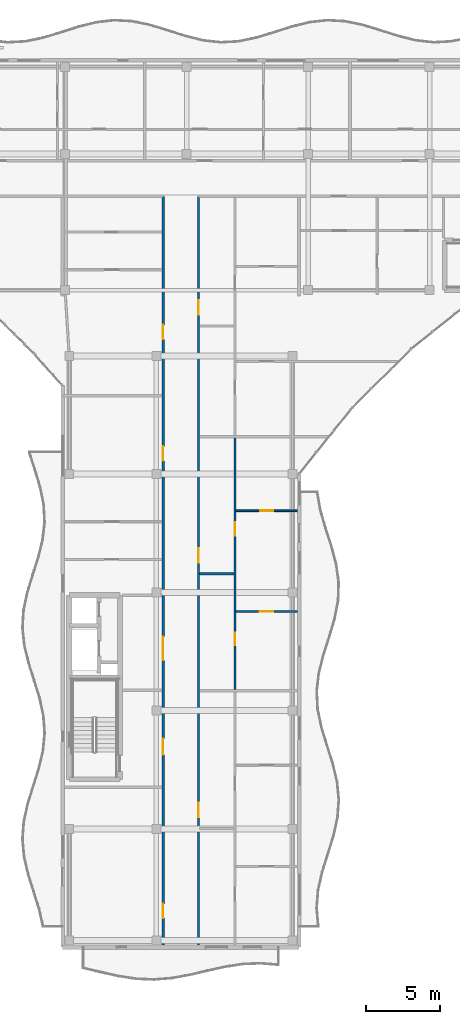
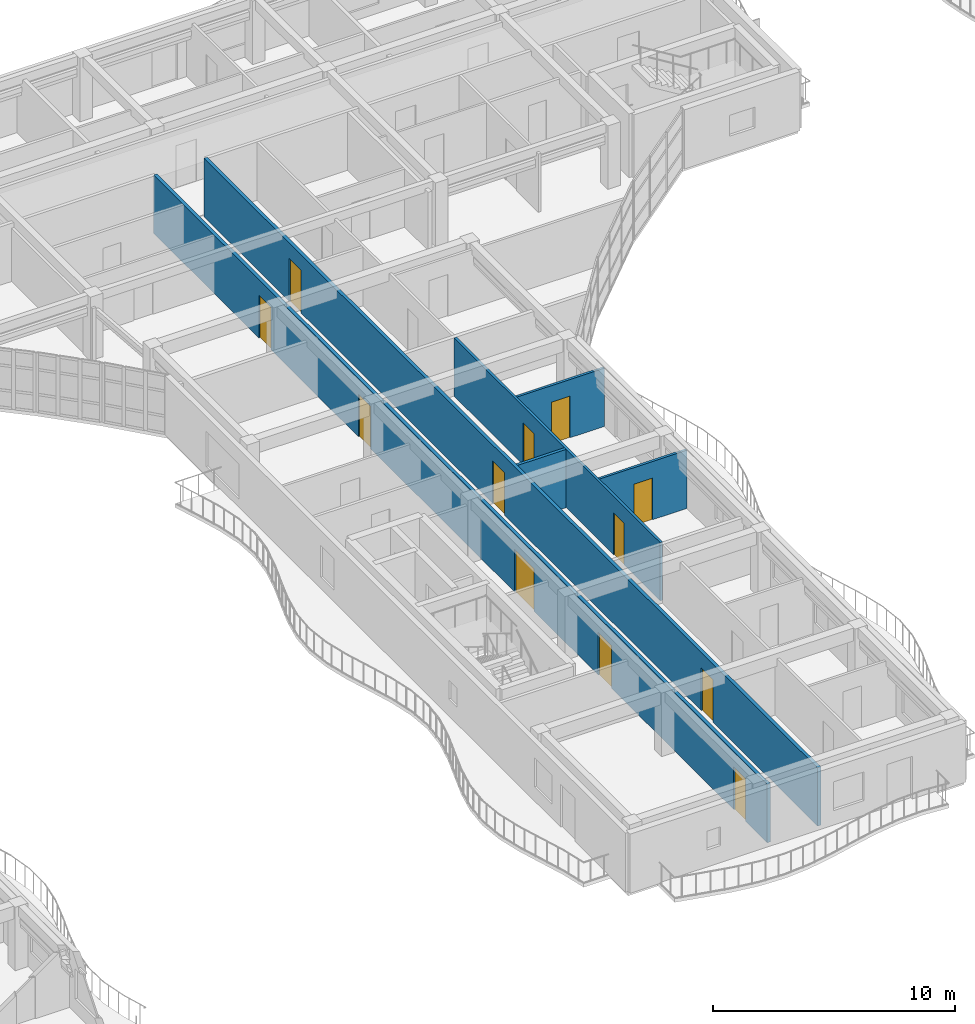
# One storey, part 33 of 76: 12 doors, 6 walls, 12 openings.
"""IFC4 building model written with IfcOpenShell, lengths in metres."""

from ifc_helpers import new_model, si_unit, direction, frame, frame_2d, origin, place, context, subcontext, project, spatial, rectangle, extrude, material, layer, layer_set, type_object, element, fill, save


model = new_model("IFC4")

# Units and contexts
model_context = context("Model", 3, precision=1e-05, world=origin(), true_north=direction((0.0, 1.0)))
body_context = subcontext(model_context, "Body", "Model", "MODEL_VIEW")
ifc_project = project(units=[si_unit("LENGTHUNIT", "METRE"), si_unit("AREAUNIT", "SQUARE_METRE"), si_unit("VOLUMEUNIT", "CUBIC_METRE"), si_unit("PLANEANGLEUNIT", "RADIAN"), si_unit("MASSUNIT", "GRAM", prefix="KILO")], contexts=[model_context])

# Site, building, storey
site_placement = place(None, origin())
site = spatial("IfcSite", under=ifc_project, at=site_placement, CompositionType="ELEMENT")
building_placement = place(site_placement, origin())
building = spatial("IfcBuilding", under=site, at=building_placement, Name="Keldmere Railside Commons", CompositionType="ELEMENT")
storey_placement = place(building_placement, frame((0.0, 0.0, 13.760009765625)))
storey = spatial("IfcBuildingStorey", under=building, at=storey_placement, Name="L04", CompositionType="ELEMENT", Elevation=13.760009765625)

# Wall, openings, doors
ifc_material_1 = material(Name="Acoustic Gypsum Board Partition", Category="gypsum")
ifc_layer_1 = layer(ifc_material_1, 0.1201171875, Name="Apartment Interior Partition 120")
ifc_layer_set_1 = layer_set([ifc_layer_1], Name="Acoustic Gypsum Board Partition")
wall_type_1 = type_object("IfcWallType", Name="Apartment Interior Partition 120", PredefinedType="PARTITIONING", material=ifc_layer_set_1)
wall_1_placement = place(storey_placement, frame((59.659912109375, 73.43994140625, 0.0), z_axis=(0.0, 0.0, 1.0), x_axis=(0.0, 1.0, 0.0)))
wall_1 = element("IfcWall", 1, at=wall_1_placement, inside=storey, type_object=wall_type_1, Name="IW-4 IW-L04-0654", PredefinedType="PARTITIONING", context=body_context, shape_type="SweptSolid", body=[
    extrude(rectangle(XDim=17.010009765625, YDim=0.1201171875, at=frame_2d((8.5048828125, 0.0))), origin(), (0.0, 0.0, 1.0), 2.93505859375),
])
opening_1_placement = place(wall_1_placement, frame((2.9716796875, 0.0, 0.0)))
opening_1 = element("IfcOpeningElement", 2, at=opening_1_placement, cuts=wall_1, Name="Opening ID-04", PredefinedType="OPENING", context=body_context, shape_type="SweptSolid", body=[
    extrude(rectangle(XDim=0.860107421875, YDim=2.10009765625, at=frame_2d((0.43017578125, 1.050048828125))), frame((0.0, 0.070068359375, 0.0), z_axis=(0.0, -1.0, 0.0), x_axis=(1.0, 0.0, 0.0)), (0.0, 0.0, 1.0), 0.14013671875),
])
opening_2_placement = place(wall_1_placement, frame((10.393310546875, 0.0, 0.0)))
opening_2 = element("IfcOpeningElement", 3, at=opening_2_placement, cuts=wall_1, Name="Opening ID-03", PredefinedType="OPENING", context=body_context, shape_type="SweptSolid", body=[
    extrude(rectangle(XDim=0.919921875, YDim=2.10009765625, at=frame_2d((0.4599609375, 1.050048828125))), frame((0.0, 0.070068359375, 0.0), z_axis=(0.0, -1.0, 0.0), x_axis=(1.0, 0.0, 0.0)), (0.0, 0.0, 1.0), 0.14013671875),
])
ifc_material_2 = material(Name="Engineered Oak Timber", Category="wood")
door_type_1 = type_object("IfcDoorType", Name="Apartment Bathroom Door 860x2100", OperationType="NOTDEFINED", PredefinedType="DOOR", material=ifc_material_2)
door_1_placement = place(opening_1_placement, origin())
door_1 = element("IfcDoor", 4, at=door_1_placement, inside=storey, type_object=door_type_1, Name="ID-04 IDR-L04-0539", OperationType="SINGLE_SWING_LEFT", OverallHeight=2.10009765625, OverallWidth=0.860107421875, PredefinedType="DOOR", context=body_context, shape_type="SweptSolid", body=[
    extrude(rectangle(XDim=0.860107421875, YDim=2.10009765625, at=frame_2d((0.43017578125, 1.050048828125))), frame((0.0, 0.02490234375, 0.0), z_axis=(0.0, -1.0, 0.0), x_axis=(1.0, 0.0, 0.0)), (0.0, 0.0, 1.0), 0.050048828125),
])
fill(opening_1, door_1)
door_type_2 = type_object("IfcDoorType", Name="Kitchen Pocket-Frame Swing Door 920x2100", OperationType="NOTDEFINED", PredefinedType="DOOR", material=ifc_material_2)
door_2_placement = place(opening_2_placement, origin())
door_2 = element("IfcDoor", 5, at=door_2_placement, inside=storey, type_object=door_type_2, Name="ID-03 IDR-L04-0540", OperationType="SINGLE_SWING_RIGHT", OverallHeight=2.10009765625, OverallWidth=0.919921875, PredefinedType="DOOR", context=body_context, shape_type="SweptSolid", body=[
    extrude(rectangle(XDim=0.919921875, YDim=2.10009765625, at=frame_2d((0.4599609375, 1.050048828125))), frame((0.0, 0.02490234375, 0.0), z_axis=(0.0, -1.0, 0.0), x_axis=(1.0, 0.0, 0.0)), (0.0, 0.0, 1.0), 0.050048828125),
])
fill(opening_2, door_2)

# Wall, opening, door
wall_2_placement = place(storey_placement, frame((59.719970703125, 78.7099609375, 0.0), z_axis=(0.0, 0.0, 1.0), x_axis=(1.0, 0.0, 0.0)))
wall_2 = element("IfcWall", 6, at=wall_2_placement, inside=storey, type_object=wall_type_1, Name="IW-4 IW-L04-0656", PredefinedType="PARTITIONING", context=body_context, shape_type="SweptSolid", body=[
    extrude(rectangle(XDim=4.159912109375, YDim=0.1201171875, at=frame_2d((2.080078125, 0.0))), origin(), (0.0, 0.0, 1.0), 2.93505859375),
])
opening_3_placement = place(wall_2_placement, frame((1.6298828125, 0.0, 0.0)))
opening_3 = element("IfcOpeningElement", 7, at=opening_3_placement, cuts=wall_2, Name="Opening ID-01", PredefinedType="OPENING", context=body_context, shape_type="SweptSolid", body=[
    extrude(rectangle(XDim=0.89990234375, YDim=2.10009765625, at=frame_2d((0.449951171875, 1.050048828125))), frame((0.0, 0.070068359375, 0.0), z_axis=(0.0, -1.0, 0.0), x_axis=(1.0, 0.0, 0.0)), (0.0, 0.0, 1.0), 0.14013671875),
])
door_type_3 = type_object("IfcDoorType", Name="Primary Bedroom Door 900x2100", OperationType="NOTDEFINED", PredefinedType="DOOR", material=ifc_material_2)
door_3_placement = place(opening_3_placement, origin())
door_3 = element("IfcDoor", 8, at=door_3_placement, inside=storey, type_object=door_type_3, Name="ID-01 IDR-L04-0542", OperationType="SINGLE_SWING_RIGHT", OverallHeight=2.10009765625, OverallWidth=0.89990234375, PredefinedType="DOOR", context=body_context, shape_type="SweptSolid", body=[
    extrude(rectangle(XDim=0.89990234375, YDim=2.10009765625, at=frame_2d((0.449951171875, 1.050048828125))), frame((0.0, 0.02490234375, 0.0), z_axis=(0.0, -1.0, 0.0), x_axis=(1.0, 0.0, 0.0)), (0.0, 0.0, 1.0), 0.050048828125),
])
fill(opening_3, door_3)

wall_3_placement = place(storey_placement, frame((59.719970703125, 85.52001953125, 0.0), z_axis=(0.0, 0.0, 1.0), x_axis=(1.0, 0.0, 0.0)))
wall_3 = element("IfcWall", 9, at=wall_3_placement, inside=storey, type_object=wall_type_1, Name="IW-4 IW-L04-0657", PredefinedType="PARTITIONING", context=body_context, shape_type="SweptSolid", body=[
    extrude(rectangle(XDim=4.159912109375, YDim=0.1201171875, at=frame_2d((2.080078125, 0.0))), origin(), (0.0, 0.0, 1.0), 2.93505859375),
])
opening_4_placement = place(wall_3_placement, frame((1.639892578125, 0.0, 0.0)))
opening_4 = element("IfcOpeningElement", 10, at=opening_4_placement, cuts=wall_3, Name="Opening ID-02", PredefinedType="OPENING", context=body_context, shape_type="SweptSolid", body=[
    extrude(rectangle(XDim=0.8798828125, YDim=2.10009765625, at=frame_2d((0.43994140625, 1.050048828125))), frame((0.0, 0.070068359375, 0.0), z_axis=(0.0, -1.0, 0.0), x_axis=(1.0, 0.0, 0.0)), (0.0, 0.0, 1.0), 0.14013671875),
])
door_type_4 = type_object("IfcDoorType", Name="Secondary Bedroom Door 880x2100", OperationType="NOTDEFINED", PredefinedType="DOOR", material=ifc_material_2)
door_4_placement = place(opening_4_placement, origin())
door_4 = element("IfcDoor", 11, at=door_4_placement, inside=storey, type_object=door_type_4, Name="ID-02 IDR-L04-0543", OperationType="SINGLE_SWING_LEFT", OverallHeight=2.10009765625, OverallWidth=0.8798828125, PredefinedType="DOOR", context=body_context, shape_type="SweptSolid", body=[
    extrude(rectangle(XDim=0.8798828125, YDim=2.10009765625, at=frame_2d((0.43994140625, 1.050048828125))), frame((0.0, 0.02490234375, 0.0), z_axis=(0.0, -1.0, 0.0), x_axis=(1.0, 0.0, 0.0)), (0.0, 0.0, 1.0), 0.050048828125),
])
fill(opening_4, door_4)

# Wall, openings, doors
ifc_layer_2 = layer(ifc_material_1, 0.159912109375, Name="Corridor Fire Partition 160")
ifc_layer_set_2 = layer_set([ifc_layer_2], Name="Acoustic Gypsum Board Partition")
wall_type_2 = type_object("IfcWallType", Name="Corridor Fire Partition 160", PredefinedType="PARTITIONING", material=ifc_layer_set_2)
wall_4_placement = place(storey_placement, frame((54.800048828125, 56.159912109375, 0.0), z_axis=(0.0, 0.0, 1.0), x_axis=(0.0, 1.0, 0.0)))
wall_4 = element("IfcWall", 12, at=wall_4_placement, inside=storey, type_object=wall_type_2, Name="IW-2 IW-L04-0639", PredefinedType="PARTITIONING", context=body_context, shape_type="SweptSolid", body=[
    extrude(rectangle(XDim=50.64013671875, YDim=0.159912109375, at=frame_2d((25.320068359375, 0.0))), origin(), (0.0, 0.0, 1.0), 2.93505859375),
])
opening_5_placement = place(wall_4_placement, frame((12.840087890625, 0.0, 0.0)))
opening_5 = element("IfcOpeningElement", 13, at=opening_5_placement, cuts=wall_4, Name="Opening FD-2", PredefinedType="OPENING", context=body_context, shape_type="SweptSolid", body=[
    extrude(rectangle(XDim=1.10009765625, YDim=2.14990234375, at=frame_2d((0.550048828125, 1.074951171875))), frame((0.0, 0.08984375, 0.0), z_axis=(0.0, -1.0, 0.0), x_axis=(1.0, 0.0, 0.0)), (0.0, 0.0, 1.0), 0.179931640625),
])
opening_6_placement = place(wall_4_placement, frame((19.239990234375, 0.0, 0.0)))
opening_6 = element("IfcOpeningElement", 14, at=opening_6_placement, cuts=wall_4, Name="Opening FD-4", PredefinedType="OPENING", context=body_context, shape_type="SweptSolid", body=[
    extrude(rectangle(XDim=1.60009765625, YDim=2.14990234375, at=frame_2d((0.800048828125, 1.074951171875))), frame((0.0, 0.08984375, 0.0), z_axis=(0.0, -1.0, 0.0), x_axis=(1.0, 0.0, 0.0)), (0.0, 0.0, 1.0), 0.179931640625),
])
opening_7_placement = place(wall_4_placement, frame((1.800048828125, 0.0, 0.0)))
opening_7 = element("IfcOpeningElement", 15, at=opening_7_placement, cuts=wall_4, Name="Opening ID-08", PredefinedType="OPENING", context=body_context, shape_type="SweptSolid", body=[
    extrude(rectangle(XDim=0.9599609375, YDim=2.14990234375, at=frame_2d((0.47998046875, 1.074951171875))), frame((0.0, 0.08984375, 0.0), z_axis=(0.0, -1.0, 0.0), x_axis=(1.0, 0.0, 0.0)), (0.0, 0.0, 1.0), 0.179931640625),
])
opening_8_placement = place(wall_4_placement, frame((32.7451171875, 0.0, 0.0)))
opening_8 = element("IfcOpeningElement", 16, at=opening_8_placement, cuts=wall_4, Name="Opening FD-7", PredefinedType="OPENING", context=body_context, shape_type="SweptSolid", body=[
    extrude(rectangle(XDim=0.97998046875, YDim=2.14990234375, at=frame_2d((0.489990234375, 1.074951171875))), frame((0.0, 0.08984375, 0.0), z_axis=(0.0, -1.0, 0.0), x_axis=(1.0, 0.0, 0.0)), (0.0, 0.0, 1.0), 0.179931640625),
])
opening_9_placement = place(wall_4_placement, frame((40.955078125, 0.0, 0.0)))
opening_9 = element("IfcOpeningElement", 17, at=opening_9_placement, cuts=wall_4, Name="Opening FD-7", PredefinedType="OPENING", context=body_context, shape_type="SweptSolid", body=[
    extrude(rectangle(XDim=0.97998046875, YDim=2.14990234375, at=frame_2d((0.489990234375, 1.074951171875))), frame((0.0, 0.08984375, 0.0), z_axis=(0.0, -1.0, 0.0), x_axis=(1.0, 0.0, 0.0)), (0.0, 0.0, 1.0), 0.179931640625),
])
door_type_5 = type_object("IfcDoorType", Name="Apartment Entrance Acoustic Fire Door 980x2150", OperationType="NOTDEFINED", PredefinedType="DOOR", material=ifc_material_2)
door_5_placement = place(opening_8_placement, origin())
door_5 = element("IfcDoor", 18, at=door_5_placement, inside=storey, type_object=door_type_5, Name="FD-7 IDR-L04-0571", OperationType="SINGLE_SWING_LEFT", OverallHeight=2.14990234375, OverallWidth=0.97998046875, PredefinedType="DOOR", context=body_context, shape_type="SweptSolid", body=[
    extrude(rectangle(XDim=0.97998046875, YDim=2.14990234375, at=frame_2d((0.489990234375, 1.074951171875))), frame((0.0, 0.02490234375, 0.0), z_axis=(0.0, -1.0, 0.0), x_axis=(1.0, 0.0, 0.0)), (0.0, 0.0, 1.0), 0.050048828125),
])
fill(opening_8, door_5)
door_6_placement = place(opening_9_placement, origin())
door_6 = element("IfcDoor", 19, at=door_6_placement, inside=storey, type_object=door_type_5, Name="FD-7 IDR-L04-0574", OperationType="SINGLE_SWING_RIGHT", OverallHeight=2.14990234375, OverallWidth=0.97998046875, PredefinedType="DOOR", context=body_context, shape_type="SweptSolid", body=[
    extrude(rectangle(XDim=0.97998046875, YDim=2.14990234375, at=frame_2d((0.489990234375, 1.074951171875))), frame((0.0, 0.02490234375, 0.0), z_axis=(0.0, -1.0, 0.0), x_axis=(1.0, 0.0, 0.0)), (0.0, 0.0, 1.0), 0.050048828125),
])
fill(opening_9, door_6)
ifc_material_3 = material(Name="Steel F-24 (S235)", Category="steel")
door_type_6 = type_object("IfcDoorType", Name="Corridor Cross-Compartment Double Fire Door 1600x2150", OperationType="DOUBLE_DOOR_SINGLE_SWING", PredefinedType="DOOR", material=ifc_material_3)
door_7_placement = place(opening_6_placement, origin())
door_7 = element("IfcDoor", 20, at=door_7_placement, inside=storey, type_object=door_type_6, Name="FD-4 IDR-L04-0533", OperationType="DOUBLE_DOOR_SINGLE_SWING", OverallHeight=2.14990234375, OverallWidth=1.60009765625, PredefinedType="DOOR", context=body_context, shape_type="SweptSolid", body=[
    extrude(rectangle(XDim=1.60009765625, YDim=2.14990234375, at=frame_2d((0.800048828125, 1.074951171875))), frame((0.0, 0.02490234375, 0.0), z_axis=(0.0, -1.0, 0.0), x_axis=(1.0, 0.0, 0.0)), (0.0, 0.0, 1.0), 0.050048828125),
])
fill(opening_6, door_7)
door_type_7 = type_object("IfcDoorType", Name="Firefighting Lobby Fire Door 1100x2150", OperationType="NOTDEFINED", PredefinedType="DOOR", material=ifc_material_3)
door_8_placement = place(opening_5_placement, origin())
door_8 = element("IfcDoor", 21, at=door_8_placement, inside=storey, type_object=door_type_7, Name="FD-2 IDR-L04-0532", OperationType="SINGLE_SWING_RIGHT", OverallHeight=2.14990234375, OverallWidth=1.10009765625, PredefinedType="DOOR", context=body_context, shape_type="SweptSolid", body=[
    extrude(rectangle(XDim=1.10009765625, YDim=2.14990234375, at=frame_2d((0.550048828125, 1.074951171875))), frame((0.0, 0.02490234375, 0.0), z_axis=(0.0, -1.0, 0.0), x_axis=(1.0, 0.0, 0.0)), (0.0, 0.0, 1.0), 0.050048828125),
])
fill(opening_5, door_8)
door_type_8 = type_object("IfcDoorType", Name="Study & Meeting Room Door 960x2150", OperationType="NOTDEFINED", PredefinedType="DOOR", material=ifc_material_2)
door_9_placement = place(opening_7_placement, origin())
door_9 = element("IfcDoor", 22, at=door_9_placement, inside=storey, type_object=door_type_8, Name="ID-08 IDR-L04-0568", OperationType="SINGLE_SWING_RIGHT", OverallHeight=2.14990234375, OverallWidth=0.9599609375, PredefinedType="DOOR", context=body_context, shape_type="SweptSolid", body=[
    extrude(rectangle(XDim=0.9599609375, YDim=2.14990234375, at=frame_2d((0.47998046875, 1.074951171875))), frame((0.0, 0.02490234375, 0.0), z_axis=(0.0, -1.0, 0.0), x_axis=(1.0, 0.0, 0.0)), (0.0, 0.0, 1.0), 0.050048828125),
])
fill(opening_7, door_9)

wall_5_placement = place(storey_placement, frame((57.199951171875, 56.159912109375, 0.0), z_axis=(0.0, 0.0, 1.0), x_axis=(0.0, 1.0, 0.0)))
wall_5 = element("IfcWall", 23, at=wall_5_placement, inside=storey, type_object=wall_type_2, Name="IW-2 IW-L04-0640", PredefinedType="PARTITIONING", context=body_context, shape_type="SweptSolid", body=[
    extrude(rectangle(XDim=50.64013671875, YDim=0.159912109375, at=frame_2d((25.320068359375, 0.0))), origin(), (0.0, 0.0, 1.0), 2.93505859375),
])
opening_10_placement = place(wall_5_placement, frame((8.6201171875, 0.0, 0.0)))
opening_10 = element("IfcOpeningElement", 24, at=opening_10_placement, cuts=wall_5, Name="Opening FD-7", PredefinedType="OPENING", context=body_context, shape_type="SweptSolid", body=[
    extrude(rectangle(XDim=0.97998046875, YDim=2.14990234375, at=frame_2d((0.489990234375, 1.074951171875))), frame((0.0, 0.08984375, 0.0), z_axis=(0.0, -1.0, 0.0), x_axis=(1.0, 0.0, 0.0)), (0.0, 0.0, 1.0), 0.179931640625),
])
opening_11_placement = place(wall_5_placement, frame((25.85009765625, 0.0, 0.0)))
opening_11 = element("IfcOpeningElement", 25, at=opening_11_placement, cuts=wall_5, Name="Opening FD-7", PredefinedType="OPENING", context=body_context, shape_type="SweptSolid", body=[
    extrude(rectangle(XDim=0.97998046875, YDim=2.14990234375, at=frame_2d((0.489990234375, 1.074951171875))), frame((0.0, 0.08984375, 0.0), z_axis=(0.0, -1.0, 0.0), x_axis=(1.0, 0.0, 0.0)), (0.0, 0.0, 1.0), 0.179931640625),
])
opening_12_placement = place(wall_5_placement, frame((42.6201171875, 0.0, 0.0)))
opening_12 = element("IfcOpeningElement", 26, at=opening_12_placement, cuts=wall_5, Name="Opening FD-7", PredefinedType="OPENING", context=body_context, shape_type="SweptSolid", body=[
    extrude(rectangle(XDim=0.97998046875, YDim=2.14990234375, at=frame_2d((0.489990234375, 1.074951171875))), frame((0.0, 0.08984375, 0.0), z_axis=(0.0, -1.0, 0.0), x_axis=(1.0, 0.0, 0.0)), (0.0, 0.0, 1.0), 0.179931640625),
])
door_10_placement = place(opening_10_placement, origin())
door_10 = element("IfcDoor", 27, at=door_10_placement, inside=storey, type_object=door_type_5, Name="FD-7 IDR-L04-0536", OperationType="SINGLE_SWING_RIGHT", OverallHeight=2.14990234375, OverallWidth=0.97998046875, PredefinedType="DOOR", context=body_context, shape_type="SweptSolid", body=[
    extrude(rectangle(XDim=0.97998046875, YDim=2.14990234375, at=frame_2d((0.489990234375, 1.074951171875))), frame((0.0, 0.02490234375, 0.0), z_axis=(0.0, -1.0, 0.0), x_axis=(1.0, 0.0, 0.0)), (0.0, 0.0, 1.0), 0.050048828125),
])
fill(opening_10, door_10)
door_11_placement = place(opening_11_placement, origin())
door_11 = element("IfcDoor", 28, at=door_11_placement, inside=storey, type_object=door_type_5, Name="FD-7 IDR-L04-0541", OperationType="SINGLE_SWING_LEFT", OverallHeight=2.14990234375, OverallWidth=0.97998046875, PredefinedType="DOOR", context=body_context, shape_type="SweptSolid", body=[
    extrude(rectangle(XDim=0.97998046875, YDim=2.14990234375, at=frame_2d((0.489990234375, 1.074951171875))), frame((0.0, 0.02490234375, 0.0), z_axis=(0.0, -1.0, 0.0), x_axis=(1.0, 0.0, 0.0)), (0.0, 0.0, 1.0), 0.050048828125),
])
fill(opening_11, door_11)
door_12_placement = place(opening_12_placement, origin())
door_12 = element("IfcDoor", 29, at=door_12_placement, inside=storey, type_object=door_type_5, Name="FD-7 IDR-L04-0546", OperationType="SINGLE_SWING_RIGHT", OverallHeight=2.14990234375, OverallWidth=0.97998046875, PredefinedType="DOOR", context=body_context, shape_type="SweptSolid", body=[
    extrude(rectangle(XDim=0.97998046875, YDim=2.14990234375, at=frame_2d((0.489990234375, 1.074951171875))), frame((0.0, 0.02490234375, 0.0), z_axis=(0.0, -1.0, 0.0), x_axis=(1.0, 0.0, 0.0)), (0.0, 0.0, 1.0), 0.050048828125),
])
fill(opening_12, door_12)

# Wall
ifc_layer_3 = layer(ifc_material_1, 0.139892578125, Name="Wet-Room Sanitary Partition 140")
ifc_layer_set_3 = layer_set([ifc_layer_3], Name="Acoustic Gypsum Board Partition")
wall_type_3 = type_object("IfcWallType", Name="Wet-Room Sanitary Partition 140", PredefinedType="PARTITIONING", material=ifc_layer_set_3)
wall_6_placement = place(storey_placement, frame((57.280029296875, 81.260009765625, 0.0), z_axis=(0.0, 0.0, 1.0), x_axis=(1.0, 0.0, 0.0)))
element("IfcWall", 30, at=wall_6_placement, inside=storey, type_object=wall_type_3, Name="IW-5 IW-L04-0655", PredefinedType="PARTITIONING", context=body_context, shape_type="SweptSolid", body=[
    extrude(rectangle(XDim=2.320068359375, YDim=0.139892578125, at=frame_2d((1.16015625, 0.0))), origin(), (0.0, 0.0, 1.0), 2.93505859375),
])

save(model, "model.ifc")
